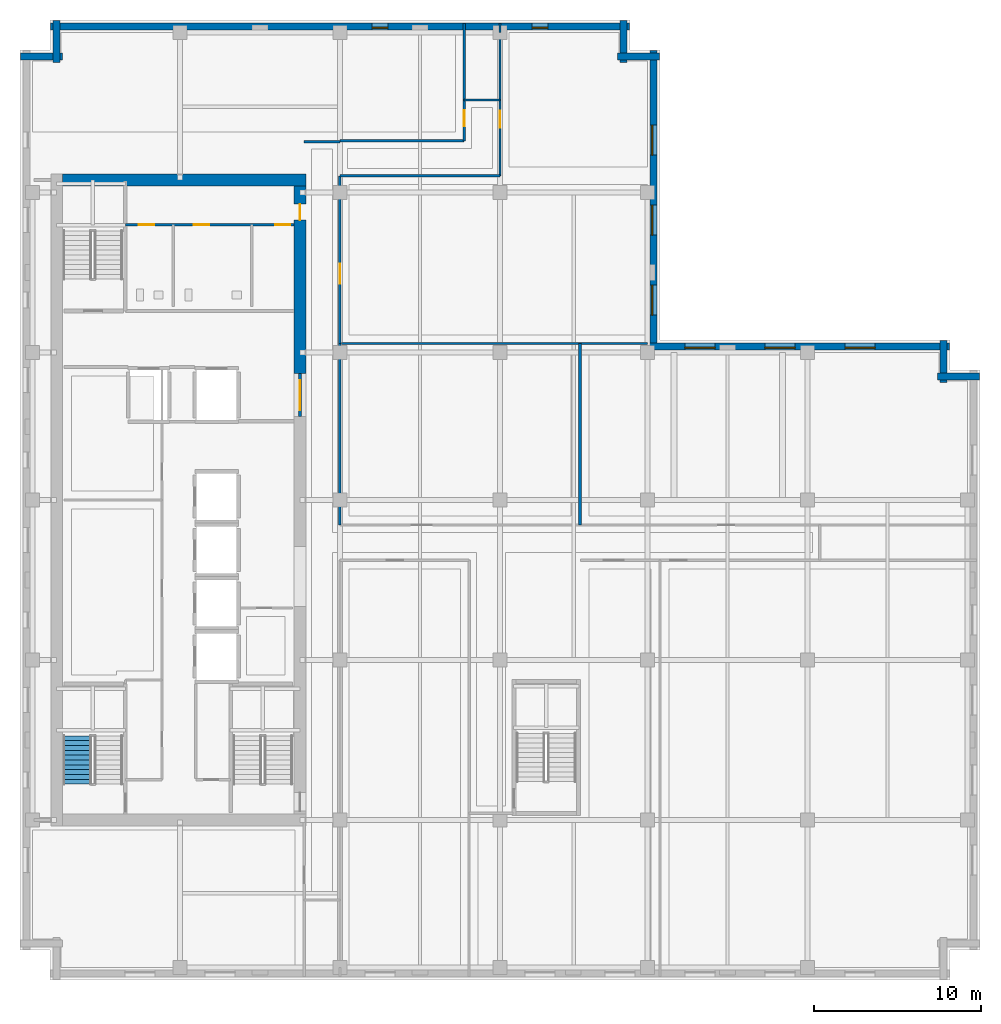
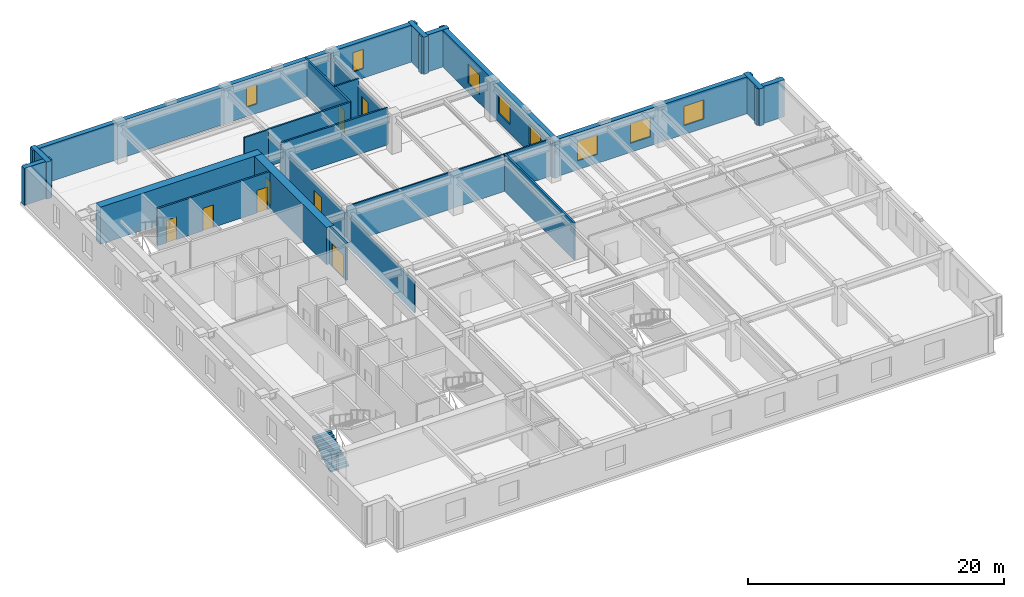
# One storey, part 6 of 14: 24 walls, 8 doors, 8 windows, 1 stair flight, 16 openings, 1 element without a shape of its own.
"""IFC4 building model written with IfcOpenShell, lengths in metres."""

from ifc_helpers import new_model, si_unit, direction, frame, frame_2d, origin, place, context, subcontext, project, spatial, polyline, rectangle, outline, extrude, material, layer, layer_set, type_object, element, fill, aggregate, save


model = new_model("IFC4")

# Units and contexts
model_context = context("Model", 3, precision=1e-05, world=origin(), true_north=direction((0.0, 1.0)))
body_context = subcontext(model_context, "Body", "Model", "MODEL_VIEW")
ifc_project = project(units=[si_unit("LENGTHUNIT", "METRE"), si_unit("AREAUNIT", "SQUARE_METRE"), si_unit("VOLUMEUNIT", "CUBIC_METRE"), si_unit("PLANEANGLEUNIT", "RADIAN"), si_unit("MASSUNIT", "GRAM", prefix="KILO")], contexts=[model_context])

# Site, building, storey
site_placement = place(None, origin())
site = spatial("IfcSite", under=ifc_project, at=site_placement, CompositionType="ELEMENT")
building_placement = place(site_placement, origin())
building = spatial("IfcBuilding", under=site, at=building_placement, Name="Norrvale University Quadrangle", CompositionType="ELEMENT")
storey_placement = place(building_placement, frame((0.0, 0.0, 218.0)))
storey = spatial("IfcBuildingStorey", under=building, at=storey_placement, Name="L55", CompositionType="ELEMENT", Elevation=218.0)

# Walls
ifc_material_1 = material(Name="Buff Norman Clay Brick Masonry", Category="masonry")
ifc_layer_1 = layer(ifc_material_1, 0.419921875, Name="Buff Norman Clay Brick Masonry")
ifc_layer_set_1 = layer_set([ifc_layer_1], Name="Buff Norman Clay Brick Masonry")
wall_type_1 = type_object("IfcWallType", Name="Wall Buff Brick 420", PredefinedType="SOLIDWALL", material=ifc_layer_set_1)
for number, where, z_axis, x_axis, name in (
    (1, (57.56005859375, 36.2099609375, 0.0), (0.0, 0.0, 1.0), (-1.0, 0.0, 0.0), "Exterior Brick Facade Wall L55-05.1"),
    (2, (55.409912109375, 35.860107421875, 0.0), (0.0, 0.0, 1.0), (0.0, 1.0, 0.0), "Exterior Brick Facade Wall L55-06.1"),
):
    element("IfcWall", number, at=place(storey_placement, frame(where, z_axis=z_axis, x_axis=x_axis)), inside=storey, type_object=wall_type_1, Name=name, PredefinedType="SOLIDWALL", context=body_context, shape_type="SweptSolid", body=[
        extrude(rectangle(XDim=2.5, YDim=0.419921875, at=frame_2d((1.25, 0.0))), origin(), (0.0, 0.0, 1.0), 3.5400390625),
    ])

# Wall, openings, windows
wall_1_placement = place(storey_placement, frame((55.760009765625, 38.010009765625, 0.0), z_axis=(0.0, 0.0, 1.0), x_axis=(-1.0, 0.0, 0.0)))
wall_1 = element("IfcWall", 3, at=wall_1_placement, inside=storey, type_object=wall_type_1, Name="Exterior Brick Facade Wall L55-07.1", PredefinedType="SOLIDWALL", context=body_context, shape_type="SweptSolid", body=[
    extrude(rectangle(XDim=18.10009765625, YDim=0.419921875, at=frame_2d((9.050048828125, 0.0))), origin(), (0.0, 0.0, 1.0), 3.5400390625),
])
opening_1_placement = place(wall_1_placement, frame((4.4599609375, 0.0, 0.85009765625)))
opening_1 = element("IfcOpeningElement", 4, at=opening_1_placement, cuts=wall_1, Name="Opening W01", PredefinedType="OPENING", context=body_context, shape_type="SweptSolid", body=[
    extrude(rectangle(XDim=1.800048828125, YDim=1.85009765625, at=frame_2d((0.89990234375, 0.925048828125))), frame((0.0, 0.221923828125, 0.0), z_axis=(0.0, -1.0, 0.0), x_axis=(1.0, 0.0, 0.0)), (0.0, 0.0, 1.0), 0.44384765625),
])
opening_2_placement = place(wall_1_placement, frame((9.260009765625, 0.0, 0.85009765625)))
opening_2 = element("IfcOpeningElement", 5, at=opening_2_placement, cuts=wall_1, Name="Opening W01", PredefinedType="OPENING", context=body_context, shape_type="SweptSolid", body=[
    extrude(rectangle(XDim=1.800048828125, YDim=1.85009765625, at=frame_2d((0.89990234375, 0.925048828125))), frame((0.0, 0.221923828125, 0.0), z_axis=(0.0, -1.0, 0.0), x_axis=(1.0, 0.0, 0.0)), (0.0, 0.0, 1.0), 0.44384765625),
])
opening_3_placement = place(wall_1_placement, frame((14.06005859375, 0.0, 0.85009765625)))
opening_3 = element("IfcOpeningElement", 6, at=opening_3_placement, cuts=wall_1, Name="Opening W01", PredefinedType="OPENING", context=body_context, shape_type="SweptSolid", body=[
    extrude(rectangle(XDim=1.800048828125, YDim=1.85009765625, at=frame_2d((0.89990234375, 0.925048828125))), frame((0.0, 0.221923828125, 0.0), z_axis=(0.0, -1.0, 0.0), x_axis=(1.0, 0.0, 0.0)), (0.0, 0.0, 1.0), 0.44384765625),
])
ifc_material_2 = material(Name="Triple Low-E Argon Glazing", Category="glass")
window_type_1 = type_object("IfcWindowType", Name="Window Academic 1800x2300", PartitioningType="DOUBLE_PANEL_VERTICAL", PredefinedType="WINDOW", material=ifc_material_2)
window_1_placement = place(opening_1_placement, origin())
window_1 = element("IfcWindow", 7, at=window_1_placement, inside=storey, type_object=window_type_1, Name="Window Academic 1800x2300 WIN-L55-E07-1-01", OverallHeight=1.85009765625, OverallWidth=1.800048828125, PartitioningType="DOUBLE_PANEL_VERTICAL", PredefinedType="WINDOW", context=body_context, shape_type="SweptSolid", body=[
    extrude(rectangle(XDim=1.800048828125, YDim=1.85009765625, at=frame_2d((0.89990234375, 0.925048828125))), frame((0.0, 0.110107421875, 0.0), z_axis=(0.0, -1.0, 0.0), x_axis=(1.0, 0.0, 0.0)), (0.0, 0.0, 1.0), 0.06005859375),
])
fill(opening_1, window_1)
window_2_placement = place(opening_2_placement, origin())
window_2 = element("IfcWindow", 8, at=window_2_placement, inside=storey, type_object=window_type_1, Name="Window Academic 1800x2300 WIN-L55-E07-1-02", OverallHeight=1.85009765625, OverallWidth=1.800048828125, PartitioningType="DOUBLE_PANEL_VERTICAL", PredefinedType="WINDOW", context=body_context, shape_type="SweptSolid", body=[
    extrude(rectangle(XDim=1.800048828125, YDim=1.85009765625, at=frame_2d((0.89990234375, 0.925048828125))), frame((0.0, 0.110107421875, 0.0), z_axis=(0.0, -1.0, 0.0), x_axis=(1.0, 0.0, 0.0)), (0.0, 0.0, 1.0), 0.06005859375),
])
fill(opening_2, window_2)
window_3_placement = place(opening_3_placement, origin())
window_3 = element("IfcWindow", 9, at=window_3_placement, inside=storey, type_object=window_type_1, Name="Window Academic 1800x2300 WIN-L55-E07-1-03", OverallHeight=1.85009765625, OverallWidth=1.800048828125, PartitioningType="DOUBLE_PANEL_VERTICAL", PredefinedType="WINDOW", context=body_context, shape_type="SweptSolid", body=[
    extrude(rectangle(XDim=1.800048828125, YDim=1.85009765625, at=frame_2d((0.89990234375, 0.925048828125))), frame((0.0, 0.110107421875, 0.0), z_axis=(0.0, -1.0, 0.0), x_axis=(1.0, 0.0, 0.0)), (0.0, 0.0, 1.0), 0.06005859375),
])
fill(opening_3, window_3)

wall_2_placement = place(storey_placement, frame((38.010009765625, 37.659912109375, 0.0), z_axis=(0.0, 0.0, 1.0), x_axis=(0.0, 1.0, 0.0)))
wall_2 = element("IfcWall", 10, at=wall_2_placement, inside=storey, type_object=wall_type_1, Name="Exterior Brick Facade Wall L55-08.1", PredefinedType="SOLIDWALL", context=body_context, shape_type="SweptSolid", body=[
    extrude(rectangle(XDim=18.10009765625, YDim=0.419921875, at=frame_2d((9.050048828125, 0.0))), origin(), (0.0, 0.0, 1.0), 3.5400390625),
])
opening_4_placement = place(wall_2_placement, frame((2.239990234375, 0.0, 0.85009765625)))
opening_4 = element("IfcOpeningElement", 11, at=opening_4_placement, cuts=wall_2, Name="Opening W01", PredefinedType="OPENING", context=body_context, shape_type="SweptSolid", body=[
    extrude(rectangle(XDim=1.800048828125, YDim=1.85009765625, at=frame_2d((0.89990234375, 0.925048828125))), frame((0.0, 0.221923828125, 0.0), z_axis=(0.0, -1.0, 0.0), x_axis=(1.0, 0.0, 0.0)), (0.0, 0.0, 1.0), 0.44384765625),
])
opening_5_placement = place(wall_2_placement, frame((7.0400390625, 0.0, 0.85009765625)))
opening_5 = element("IfcOpeningElement", 12, at=opening_5_placement, cuts=wall_2, Name="Opening W01", PredefinedType="OPENING", context=body_context, shape_type="SweptSolid", body=[
    extrude(rectangle(XDim=1.800048828125, YDim=1.85009765625, at=frame_2d((0.89990234375, 0.925048828125))), frame((0.0, 0.221923828125, 0.0), z_axis=(0.0, -1.0, 0.0), x_axis=(1.0, 0.0, 0.0)), (0.0, 0.0, 1.0), 0.44384765625),
])
opening_6_placement = place(wall_2_placement, frame((11.840087890625, 0.0, 0.85009765625)))
opening_6 = element("IfcOpeningElement", 13, at=opening_6_placement, cuts=wall_2, Name="Opening W01", PredefinedType="OPENING", context=body_context, shape_type="SweptSolid", body=[
    extrude(rectangle(XDim=1.800048828125, YDim=1.85009765625, at=frame_2d((0.89990234375, 0.925048828125))), frame((0.0, 0.221923828125, 0.0), z_axis=(0.0, -1.0, 0.0), x_axis=(1.0, 0.0, 0.0)), (0.0, 0.0, 1.0), 0.44384765625),
])
window_4_placement = place(opening_4_placement, origin())
window_4 = element("IfcWindow", 14, at=window_4_placement, inside=storey, type_object=window_type_1, Name="Window Academic 1800x2300 WIN-L55-E08-1-01", OverallHeight=1.85009765625, OverallWidth=1.800048828125, PartitioningType="DOUBLE_PANEL_VERTICAL", PredefinedType="WINDOW", context=body_context, shape_type="SweptSolid", body=[
    extrude(rectangle(XDim=1.800048828125, YDim=1.85009765625, at=frame_2d((0.89990234375, 0.925048828125))), frame((0.0, 0.110107421875, 0.0), z_axis=(0.0, -1.0, 0.0), x_axis=(1.0, 0.0, 0.0)), (0.0, 0.0, 1.0), 0.06005859375),
])
fill(opening_4, window_4)
window_5_placement = place(opening_5_placement, origin())
window_5 = element("IfcWindow", 15, at=window_5_placement, inside=storey, type_object=window_type_1, Name="Window Academic 1800x2300 WIN-L55-E08-1-02", OverallHeight=1.85009765625, OverallWidth=1.800048828125, PartitioningType="DOUBLE_PANEL_VERTICAL", PredefinedType="WINDOW", context=body_context, shape_type="SweptSolid", body=[
    extrude(rectangle(XDim=1.800048828125, YDim=1.85009765625, at=frame_2d((0.89990234375, 0.925048828125))), frame((0.0, 0.110107421875, 0.0), z_axis=(0.0, -1.0, 0.0), x_axis=(1.0, 0.0, 0.0)), (0.0, 0.0, 1.0), 0.06005859375),
])
fill(opening_5, window_5)
window_6_placement = place(opening_6_placement, origin())
window_6 = element("IfcWindow", 16, at=window_6_placement, inside=storey, type_object=window_type_1, Name="Window Academic 1800x2300 WIN-L55-E08-1-03", OverallHeight=1.85009765625, OverallWidth=1.800048828125, PartitioningType="DOUBLE_PANEL_VERTICAL", PredefinedType="WINDOW", context=body_context, shape_type="SweptSolid", body=[
    extrude(rectangle(XDim=1.800048828125, YDim=1.85009765625, at=frame_2d((0.89990234375, 0.925048828125))), frame((0.0, 0.110107421875, 0.0), z_axis=(0.0, -1.0, 0.0), x_axis=(1.0, 0.0, 0.0)), (0.0, 0.0, 1.0), 0.06005859375),
])
fill(opening_6, window_6)

# Walls
for number, where, z_axis, x_axis, name in (
    (17, (38.360107421875, 55.409912109375, 0.0), (0.0, 0.0, 1.0), (-1.0, 0.0, 0.0), "Exterior Brick Facade Wall L55-09.1"),
    (18, (36.2099609375, 55.06005859375, 0.0), (0.0, 0.0, 1.0), (0.0, 1.0, 0.0), "Exterior Brick Facade Wall L55-10.1"),
):
    element("IfcWall", number, at=place(storey_placement, frame(where, z_axis=z_axis, x_axis=x_axis)), inside=storey, type_object=wall_type_1, Name=name, PredefinedType="SOLIDWALL", context=body_context, shape_type="SweptSolid", body=[
        extrude(rectangle(XDim=2.5, YDim=0.419921875, at=frame_2d((1.25, 0.0))), origin(), (0.0, 0.0, 1.0), 3.5400390625),
    ])

# Wall, openings, windows
wall_3_placement = place(storey_placement, frame((36.56005859375, 57.2099609375, 0.0), z_axis=(0.0, 0.0, 1.0), x_axis=(-1.0, 0.0, 0.0)))
wall_3 = element("IfcWall", 19, at=wall_3_placement, inside=storey, type_object=wall_type_1, Name="Exterior Brick Facade Wall L55-11.1", PredefinedType="SOLIDWALL", context=body_context, shape_type="SweptSolid", body=[
    extrude(rectangle(XDim=34.719970703125, YDim=0.419921875, at=frame_2d((17.35986328125, 0.0))), origin(), (0.0, 0.0, 1.0), 3.5400390625),
])
opening_7_placement = place(wall_3_placement, frame((4.885009765625, 0.0, 0.89990234375)))
opening_7 = element("IfcOpeningElement", 20, at=opening_7_placement, cuts=wall_3, Name="Opening W04", PredefinedType="OPENING", context=body_context, shape_type="SweptSolid", body=[
    extrude(rectangle(XDim=0.949951171875, YDim=1.85009765625, at=frame_2d((0.47509765625, 0.925048828125))), frame((0.0, 0.221923828125, 0.0), z_axis=(0.0, -1.0, 0.0), x_axis=(1.0, 0.0, 0.0)), (0.0, 0.0, 1.0), 0.44384765625),
])
opening_8_placement = place(wall_3_placement, frame((14.485107421875, 0.0, 0.89990234375)))
opening_8 = element("IfcOpeningElement", 21, at=opening_8_placement, cuts=wall_3, Name="Opening W04", PredefinedType="OPENING", context=body_context, shape_type="SweptSolid", body=[
    extrude(rectangle(XDim=0.949951171875, YDim=1.85009765625, at=frame_2d((0.47509765625, 0.925048828125))), frame((0.0, 0.221923828125, 0.0), z_axis=(0.0, -1.0, 0.0), x_axis=(1.0, 0.0, 0.0)), (0.0, 0.0, 1.0), 0.44384765625),
])
window_type_2 = type_object("IfcWindowType", Name="Window Narrow Pier 950x2300", PartitioningType="SINGLE_PANEL", PredefinedType="WINDOW", material=ifc_material_2)
window_7_placement = place(opening_7_placement, origin())
window_7 = element("IfcWindow", 22, at=window_7_placement, inside=storey, type_object=window_type_2, Name="Window Narrow Pier 950x2300 WIN-L55-E11-1-01", OverallHeight=1.85009765625, OverallWidth=0.949951171875, PartitioningType="SINGLE_PANEL", PredefinedType="WINDOW", context=body_context, shape_type="SweptSolid", body=[
    extrude(rectangle(XDim=0.949951171875, YDim=1.85009765625, at=frame_2d((0.47509765625, 0.925048828125))), frame((0.0, 0.110107421875, 0.0), z_axis=(0.0, -1.0, 0.0), x_axis=(1.0, 0.0, 0.0)), (0.0, 0.0, 1.0), 0.06005859375),
])
fill(opening_7, window_7)
window_8_placement = place(opening_8_placement, origin())
window_8 = element("IfcWindow", 23, at=window_8_placement, inside=storey, type_object=window_type_2, Name="Window Narrow Pier 950x2300 WIN-L55-E11-1-02", OverallHeight=1.85009765625, OverallWidth=0.949951171875, PartitioningType="SINGLE_PANEL", PredefinedType="WINDOW", context=body_context, shape_type="SweptSolid", body=[
    extrude(rectangle(XDim=0.949951171875, YDim=1.85009765625, at=frame_2d((0.47509765625, 0.925048828125))), frame((0.0, 0.110107421875, 0.0), z_axis=(0.0, -1.0, 0.0), x_axis=(1.0, 0.0, 0.0)), (0.0, 0.0, 1.0), 0.06005859375),
])
fill(opening_8, window_8)

# Walls
for number, where, z_axis, x_axis, name in (
    (24, (2.18994140625, 57.56005859375, 0.0), (0.0, 0.0, 1.0), (0.0, -1.0, 0.0), "Exterior Brick Facade Wall L55-12.1"),
    (25, (2.5400390625, 55.409912109375, 0.0), (0.0, 0.0, 1.0), (-1.0, 0.0, 0.0), "Exterior Brick Facade Wall L55-13.1"),
):
    element("IfcWall", number, at=place(storey_placement, frame(where, z_axis=z_axis, x_axis=x_axis)), inside=storey, type_object=wall_type_1, Name=name, PredefinedType="SOLIDWALL", context=body_context, shape_type="SweptSolid", body=[
        extrude(rectangle(XDim=2.5, YDim=0.419921875, at=frame_2d((1.25, 0.0))), origin(), (0.0, 0.0, 1.0), 3.5400390625),
    ])
ifc_material_3 = material(Name="Concrete C60/75", Category="concrete")
ifc_layer_2 = layer(ifc_material_3, 0.699951171875, Name="Concrete C60/75")
ifc_layer_set_2 = layer_set([ifc_layer_2], Name="Concrete C60/75")
wall_type_2 = type_object("IfcWallType", Name="Wall Core 700", PredefinedType="SHEAR", material=ifc_layer_set_2)
wall_4_placement = place(storey_placement, frame((2.550048828125, 48.0, 0.0), z_axis=(0.0, 0.0, 1.0), x_axis=(1.0, 0.0, 0.0)))
element("IfcWall", 26, at=wall_4_placement, inside=storey, type_object=wall_type_2, Name="Tower Core Shear Wall L55-N", PredefinedType="SHEAR", context=body_context, shape_type="SweptSolid", body=[
    extrude(rectangle(XDim=14.599853515625, YDim=0.699951171875, at=frame_2d((7.2998046875, 0.0))), origin(), (0.0, 0.0, 1.0), 3.5400390625),
])

# Wall, opening, door
wall_5_placement = place(storey_placement, frame((16.800048828125, 36.39990234375, 0.0), z_axis=(0.0, 0.0, 1.0), x_axis=(0.0, 1.0, 0.0)))
wall_5 = element("IfcWall", 27, at=wall_5_placement, inside=storey, type_object=wall_type_2, Name="Tower Core Shear Wall L55-E3", PredefinedType="SHEAR", context=body_context, shape_type="SweptSolid", body=[
    extrude(rectangle(XDim=11.25, YDim=0.699951171875, at=frame_2d((5.625, 0.0))), origin(), (0.0, 0.0, 1.0), 3.5400390625),
])
opening_9_placement = place(wall_5_placement, frame((9.199951171875, 0.0, 0.0)))
opening_9 = element("IfcOpeningElement", 28, at=opening_9_placement, cuts=wall_5, Name="Opening D07", PredefinedType="OPENING", context=body_context, shape_type="SweptSolid", body=[
    extrude(rectangle(XDim=0.949951171875, YDim=2.14990234375, at=frame_2d((0.47509765625, 1.074951171875))), frame((0.0, 0.362060546875, 0.0), z_axis=(0.0, -1.0, 0.0), x_axis=(1.0, 0.0, 0.0)), (0.0, 0.0, 1.0), 0.723876953125),
])
ifc_material_4 = material(Name="Solid-Core Maple Door", Category="wood")
door_type_1 = type_object("IfcDoorType", Name="Door Office 950x2150", OperationType="NOTDEFINED", PredefinedType="DOOR", material=ifc_material_4)
door_1_placement = place(opening_9_placement, origin())
door_1 = element("IfcDoor", 29, at=door_1_placement, inside=storey, type_object=door_type_1, Name="Door Office 950x2150 DR-L55-NECORR", OperationType="SINGLE_SWING_RIGHT", OverallHeight=2.14990234375, OverallWidth=0.949951171875, PredefinedType="DOOR", context=body_context, shape_type="SweptSolid", body=[
    extrude(rectangle(XDim=0.949951171875, YDim=2.14990234375, at=frame_2d((0.47509765625, 1.074951171875))), frame((0.0, 0.02490234375, 0.0), z_axis=(0.0, -1.0, 0.0), x_axis=(1.0, 0.0, 0.0)), (0.0, 0.0, 1.0), 0.050048828125),
])
fill(opening_9, door_1)

# Walls
ifc_material_5 = material(Name="Standard Academic Gypsum Partition")
ifc_layer_3 = layer(ifc_material_5, 0.125, Name="Standard Academic Gypsum Partition")
ifc_layer_set_3 = layer_set([ifc_layer_3], Name="Standard Academic Gypsum Partition")
wall_type_3 = type_object("IfcWallType", Name="Wall Gypsum Academic 125", PredefinedType="PARTITIONING", material=ifc_layer_set_3)
wall_6_placement = place(storey_placement, frame((19.280029296875, 38.179931640625, 0.0), z_axis=(0.0, 0.0, 1.0), x_axis=(1.0, 0.0, 0.0)))
element("IfcWall", 30, at=wall_6_placement, inside=storey, type_object=wall_type_3, Name="Interior Partition WL-L55-ME-N", PredefinedType="PARTITIONING", context=body_context, shape_type="SweptSolid", body=[
    extrude(rectangle(XDim=18.369873046875, YDim=0.125, at=frame_2d((9.18505859375, 0.0))), origin(), (0.0, 0.0, 1.0), 3.5400390625),
])
ifc_material_6 = material(Name="Fire-Rated Gypsum Stud Partition")
ifc_layer_4 = layer(ifc_material_6, 0.14990234375, Name="Fire-Rated Gypsum Stud Partition")
ifc_layer_set_4 = layer_set([ifc_layer_4], Name="Fire-Rated Gypsum Stud Partition")
wall_type_4 = type_object("IfcWallType", Name="Wall Gypsum Corridor 150", PredefinedType="PARTITIONING", material=ifc_layer_set_4)
wall_7_placement = place(storey_placement, frame((17.050048828125, 50.300048828125, 0.0), z_axis=(0.0, 0.0, 1.0), x_axis=(1.0, 0.0, 0.0)))
element("IfcWall", 31, at=wall_7_placement, inside=storey, type_object=wall_type_4, Name="Interior Partition WL-L55-CSP-N", PredefinedType="PARTITIONING", context=body_context, shape_type="SweptSolid", body=[
    extrude(rectangle(XDim=2.14990234375, YDim=0.14990234375, at=frame_2d((1.074951171875, 0.0))), origin(), (0.0, 0.0, 1.0), 3.5400390625),
])
wall_8_placement = place(storey_placement, frame((19.199951171875, 27.300048828125, 0.0), z_axis=(0.0, 0.0, 1.0), x_axis=(0.0, 1.0, 0.0)))
element("IfcWall", 32, at=wall_8_placement, inside=storey, type_object=wall_type_4, Name="Interior Partition WL-L55-ME-W", PredefinedType="PARTITIONING", context=body_context, shape_type="SweptSolid", body=[
    extrude(rectangle(XDim=10.8798828125, YDim=0.14990234375, at=frame_2d((5.43994140625, 0.0))), origin(), (0.0, 0.0, 1.0), 2.924072265625),
])

# Wall, opening, door
wall_9_placement = place(storey_placement, frame((19.199951171875, 38.179931640625, 0.0), z_axis=(0.0, 0.0, 1.0), x_axis=(0.0, 1.0, 0.0)))
wall_9 = element("IfcWall", 33, at=wall_9_placement, inside=storey, type_object=wall_type_4, Name="Interior Partition WL-L55-MNECW", PredefinedType="PARTITIONING", context=body_context, shape_type="SweptSolid", body=[
    extrude(rectangle(XDim=10.070068359375, YDim=0.14990234375, at=frame_2d((5.03515625, 0.0))), origin(), (0.0, 0.0, 1.0), 2.924072265625),
])
opening_10_placement = place(wall_9_placement, frame((3.60009765625, 0.0, 0.0)))
opening_10 = element("IfcOpeningElement", 34, at=opening_10_placement, cuts=wall_9, Name="Opening D05", PredefinedType="OPENING", context=body_context, shape_type="SweptSolid", body=[
    extrude(rectangle(XDim=1.199951171875, YDim=2.199951171875, at=frame_2d((0.60009765625, 1.10009765625))), frame((0.0, 0.0869140625, 0.0), z_axis=(0.0, -1.0, 0.0), x_axis=(1.0, 0.0, 0.0)), (0.0, 0.0, 1.0), 0.173828125),
])
ifc_material_7 = material(Name="Acoustic Oak Classroom Door", Category="wood")
door_type_2 = type_object("IfcDoorType", Name="Door Classroom 1200x2200", OperationType="NOTDEFINED", PredefinedType="DOOR", material=ifc_material_7)
door_2_placement = place(opening_10_placement, origin())
door_2 = element("IfcDoor", 35, at=door_2_placement, inside=storey, type_object=door_type_2, Name="Door Classroom 1200x2200 DR-L55-MNE01", OperationType="SINGLE_SWING_RIGHT", OverallHeight=2.199951171875, OverallWidth=1.199951171875, PredefinedType="DOOR", context=body_context, shape_type="SweptSolid", body=[
    extrude(rectangle(XDim=1.199951171875, YDim=2.199951171875, at=frame_2d((0.60009765625, 1.10009765625))), frame((0.0, 0.02490234375, 0.0), z_axis=(0.0, -1.0, 0.0), x_axis=(1.0, 0.0, 0.0)), (0.0, 0.0, 1.0), 0.050048828125),
])
fill(opening_10, door_2)

# Walls
wall_10_placement = place(storey_placement, frame((19.199951171875, 48.25, 0.0), z_axis=(0.0, 0.0, 1.0), x_axis=(1.0, 0.0, 0.0)))
element("IfcWall", 36, at=wall_10_placement, inside=storey, type_object=wall_type_4, Name="Interior Partition WL-L55-JOGS", PredefinedType="PARTITIONING", context=body_context, shape_type="SweptSolid", body=[
    extrude(rectangle(XDim=9.60009765625, YDim=0.14990234375, at=frame_2d((4.800048828125, 0.0))), origin(), (0.0, 0.0, 1.0), 3.5400390625),
])
wall_11_placement = place(storey_placement, frame((19.199951171875, 50.35009765625, 0.0), z_axis=(0.0, 0.0, 1.0), x_axis=(1.0, 0.0, 0.0)))
element("IfcWall", 37, at=wall_11_placement, inside=storey, type_object=wall_type_4, Name="Interior Partition WL-L55-JOGN", PredefinedType="PARTITIONING", context=body_context, shape_type="SweptSolid", body=[
    extrude(rectangle(XDim=7.449951171875, YDim=0.14990234375, at=frame_2d((3.72509765625, 0.0))), origin(), (0.0, 0.0, 1.0), 3.5400390625),
])
wall_12_placement = place(storey_placement, frame((26.64990234375, 52.800048828125, 0.0), z_axis=(0.0, 0.0, 1.0), x_axis=(1.0, 0.0, 0.0)))
element("IfcWall", 38, at=wall_12_placement, inside=storey, type_object=wall_type_4, Name="Interior Partition WL-L55-JOGEND", PredefinedType="PARTITIONING", context=body_context, shape_type="SweptSolid", body=[
    extrude(rectangle(XDim=2.150146484375, YDim=0.14990234375, at=frame_2d((1.0751953125, 0.0))), origin(), (0.0, 0.0, 1.0), 3.5400390625),
])

# Wall, opening, door
wall_13_placement = place(storey_placement, frame((28.800048828125, 48.25, 0.0), z_axis=(0.0, 0.0, 1.0), x_axis=(0.0, 1.0, 0.0)))
wall_13 = element("IfcWall", 39, at=wall_13_placement, inside=storey, type_object=wall_type_4, Name="Interior Partition WL-L55-NECW", PredefinedType="PARTITIONING", context=body_context, shape_type="SweptSolid", body=[
    extrude(rectangle(XDim=8.60009765625, YDim=0.14990234375, at=frame_2d((4.300048828125, 0.0))), origin(), (0.0, 0.0, 1.0), 2.924072265625),
])
opening_11_placement = place(wall_13_placement, frame((2.89990234375, 0.0, 0.0)))
opening_11 = element("IfcOpeningElement", 40, at=opening_11_placement, cuts=wall_13, Name="Opening D04", PredefinedType="OPENING", context=body_context, shape_type="SweptSolid", body=[
    extrude(rectangle(XDim=1.0, YDim=2.199951171875, at=frame_2d((0.5, 1.10009765625))), frame((0.0, 0.0869140625, 0.0), z_axis=(0.0, -1.0, 0.0), x_axis=(1.0, 0.0, 0.0)), (0.0, 0.0, 1.0), 0.173828125),
])
ifc_material_8 = material(Name="Solid-Core Oak Fire Door", Category="wood")
door_type_3 = type_object("IfcDoorType", Name="Door Corridor 1000x2200", OperationType="NOTDEFINED", PredefinedType="DOOR", material=ifc_material_8)
door_3_placement = place(opening_11_placement, origin())
door_3 = element("IfcDoor", 41, at=door_3_placement, inside=storey, type_object=door_type_3, Name="Door Corridor 1000x2200 DR-L55-NE01", OperationType="SINGLE_SWING_RIGHT", OverallHeight=2.199951171875, OverallWidth=1.0, PredefinedType="DOOR", context=body_context, shape_type="SweptSolid", body=[
    extrude(rectangle(XDim=1.0, YDim=2.199951171875, at=frame_2d((0.5, 1.10009765625))), frame((0.0, 0.02490234375, 0.0), z_axis=(0.0, -1.0, 0.0), x_axis=(1.0, 0.0, 0.0)), (0.0, 0.0, 1.0), 0.050048828125),
])
fill(opening_11, door_3)

# Wall
wall_14_placement = place(storey_placement, frame((28.800048828125, 56.85009765625, 0.0), z_axis=(0.0, 0.0, 1.0), x_axis=(0.0, 1.0, 0.0)))
element("IfcWall", 42, at=wall_14_placement, inside=storey, type_object=wall_type_4, Name="Interior Partition WL-L55-NECW-B2", PredefinedType="PARTITIONING", context=body_context, shape_type="SweptSolid", body=[
    extrude(rectangle(XDim=0.52978515625, YDim=0.14990234375, at=frame_2d((0.264892578125, 0.0))), origin(), (0.0, 0.0, 1.0), 3.5400390625),
])

# Wall, opening, door
wall_15_placement = place(storey_placement, frame((26.64990234375, 50.35009765625, 0.0), z_axis=(0.0, 0.0, 1.0), x_axis=(0.0, 1.0, 0.0)))
wall_15 = element("IfcWall", 43, at=wall_15_placement, inside=storey, type_object=wall_type_4, Name="Interior Partition WL-L55-NWCW", PredefinedType="PARTITIONING", context=body_context, shape_type="SweptSolid", body=[
    extrude(rectangle(XDim=7.02978515625, YDim=0.14990234375, at=frame_2d((3.514892578125, 0.0))), origin(), (0.0, 0.0, 1.0), 3.5400390625),
])
opening_12_placement = place(wall_15_placement, frame((0.875, 0.0, 0.0)))
opening_12 = element("IfcOpeningElement", 44, at=opening_12_placement, cuts=wall_15, Name="Opening D07", PredefinedType="OPENING", context=body_context, shape_type="SweptSolid", body=[
    extrude(rectangle(XDim=0.949951171875, YDim=2.14990234375, at=frame_2d((0.47509765625, 1.074951171875))), frame((0.0, 0.0869140625, 0.0), z_axis=(0.0, -1.0, 0.0), x_axis=(1.0, 0.0, 0.0)), (0.0, 0.0, 1.0), 0.173828125),
])
door_4_placement = place(opening_12_placement, origin())
door_4 = element("IfcDoor", 45, at=door_4_placement, inside=storey, type_object=door_type_1, Name="Door Office 950x2150 DR-L55-NW01", OperationType="SINGLE_SWING_RIGHT", OverallHeight=2.14990234375, OverallWidth=0.949951171875, PredefinedType="DOOR", context=body_context, shape_type="SweptSolid", body=[
    extrude(rectangle(XDim=0.949951171875, YDim=2.14990234375, at=frame_2d((0.47509765625, 1.074951171875))), frame((0.0, 0.02490234375, 0.0), z_axis=(0.0, -1.0, 0.0), x_axis=(1.0, 0.0, 0.0)), (0.0, 0.0, 1.0), 0.050048828125),
])
fill(opening_12, door_4)

# Wall, openings, doors
ifc_material_9 = material(Name="Sanitary Chase Gypsum Partition")
ifc_layer_5 = layer(ifc_material_9, 0.1650390625, Name="Sanitary Chase Gypsum Partition")
ifc_layer_set_5 = layer_set([ifc_layer_5], Name="Sanitary Chase Gypsum Partition")
wall_type_5 = type_object("IfcWallType", Name="Wall Gypsum Sanitary 165", PredefinedType="PLUMBINGWALL", material=ifc_layer_set_5)
wall_16_placement = place(storey_placement, frame((6.320068359375, 45.320068359375, 0.0), z_axis=(0.0, 0.0, 1.0), x_axis=(1.0, 0.0, 0.0)))
wall_16 = element("IfcWall", 46, at=wall_16_placement, inside=storey, type_object=wall_type_5, Name="Interior Partition WL-L55-WCN", PredefinedType="PLUMBINGWALL", context=body_context, shape_type="SweptSolid", body=[
    extrude(rectangle(XDim=10.1298828125, YDim=0.1650390625, at=frame_2d((5.06494140625, 0.0))), origin(), (0.0, 0.0, 1.0), 3.5400390625),
])
opening_13_placement = place(wall_16_placement, frame((0.800048828125, 0.0, 0.0)))
opening_13 = element("IfcOpeningElement", 47, at=opening_13_placement, cuts=wall_16, Name="Opening D08", PredefinedType="OPENING", context=body_context, shape_type="SweptSolid", body=[
    extrude(rectangle(XDim=0.919921875, YDim=2.14990234375, at=frame_2d((0.4599609375, 1.074951171875))), frame((0.0, 0.094482421875, 0.0), z_axis=(0.0, -1.0, 0.0), x_axis=(1.0, 0.0, 0.0)), (0.0, 0.0, 1.0), 0.18896484375),
])
opening_14_placement = place(wall_16_placement, frame((4.10009765625, 0.0, 0.0)))
opening_14 = element("IfcOpeningElement", 48, at=opening_14_placement, cuts=wall_16, Name="Opening D08", PredefinedType="OPENING", context=body_context, shape_type="SweptSolid", body=[
    extrude(rectangle(XDim=0.919921875, YDim=2.14990234375, at=frame_2d((0.4599609375, 1.074951171875))), frame((0.0, 0.094482421875, 0.0), z_axis=(0.0, -1.0, 0.0), x_axis=(1.0, 0.0, 0.0)), (0.0, 0.0, 1.0), 0.18896484375),
])
opening_15_placement = place(wall_16_placement, frame((8.97998046875, 0.0, 0.0)))
opening_15 = element("IfcOpeningElement", 49, at=opening_15_placement, cuts=wall_16, Name="Opening D08", PredefinedType="OPENING", context=body_context, shape_type="SweptSolid", body=[
    extrude(rectangle(XDim=0.919921875, YDim=2.14990234375, at=frame_2d((0.4599609375, 1.074951171875))), frame((0.0, 0.094482421875, 0.0), z_axis=(0.0, -1.0, 0.0), x_axis=(1.0, 0.0, 0.0)), (0.0, 0.0, 1.0), 0.18896484375),
])
ifc_material_10 = material(Name="Laminate Washroom Door", Category="wood")
door_type_4 = type_object("IfcDoorType", Name="Door Washroom 920x2150", OperationType="NOTDEFINED", PredefinedType="DOOR", material=ifc_material_10)
door_5_placement = place(opening_13_placement, origin())
door_5 = element("IfcDoor", 50, at=door_5_placement, inside=storey, type_object=door_type_4, Name="Door Washroom 920x2150 DR-L55-WC1", OperationType="SINGLE_SWING_LEFT", OverallHeight=2.14990234375, OverallWidth=0.919921875, PredefinedType="DOOR", context=body_context, shape_type="SweptSolid", body=[
    extrude(rectangle(XDim=0.919921875, YDim=2.14990234375, at=frame_2d((0.4599609375, 1.074951171875))), frame((0.0, 0.02490234375, 0.0), z_axis=(0.0, -1.0, 0.0), x_axis=(1.0, 0.0, 0.0)), (0.0, 0.0, 1.0), 0.050048828125),
])
fill(opening_13, door_5)
door_6_placement = place(opening_14_placement, origin())
door_6 = element("IfcDoor", 51, at=door_6_placement, inside=storey, type_object=door_type_4, Name="Door Washroom 920x2150 DR-L55-WC2", OperationType="SINGLE_SWING_RIGHT", OverallHeight=2.14990234375, OverallWidth=0.919921875, PredefinedType="DOOR", context=body_context, shape_type="SweptSolid", body=[
    extrude(rectangle(XDim=0.919921875, YDim=2.14990234375, at=frame_2d((0.4599609375, 1.074951171875))), frame((0.0, 0.02490234375, 0.0), z_axis=(0.0, -1.0, 0.0), x_axis=(1.0, 0.0, 0.0)), (0.0, 0.0, 1.0), 0.050048828125),
])
fill(opening_14, door_6)
door_7_placement = place(opening_15_placement, origin())
door_7 = element("IfcDoor", 52, at=door_7_placement, inside=storey, type_object=door_type_4, Name="Door Washroom 920x2150 DR-L55-WC3", OperationType="SINGLE_SWING_LEFT", OverallHeight=2.14990234375, OverallWidth=0.919921875, PredefinedType="DOOR", context=body_context, shape_type="SweptSolid", body=[
    extrude(rectangle(XDim=0.919921875, YDim=2.14990234375, at=frame_2d((0.4599609375, 1.074951171875))), frame((0.0, 0.02490234375, 0.0), z_axis=(0.0, -1.0, 0.0), x_axis=(1.0, 0.0, 0.0)), (0.0, 0.0, 1.0), 0.050048828125),
])
fill(opening_15, door_7)

# Wall
wall_17_placement = place(storey_placement, frame((33.60009765625, 27.300048828125, 0.0), z_axis=(0.0, 0.0, 1.0), x_axis=(0.0, 1.0, 0.0)))
element("IfcWall", 53, at=wall_17_placement, inside=storey, type_object=wall_type_5, Name="Interior Partition WL-L55-MEP01", PredefinedType="PLUMBINGWALL", context=body_context, shape_type="SweptSolid", body=[
    extrude(rectangle(XDim=10.8798828125, YDim=0.1650390625, at=frame_2d((5.43994140625, 0.0))), origin(), (0.0, 0.0, 1.0), 3.5400390625),
])

# Wall, opening, door
ifc_material_11 = material(Name="Concrete Blockwork 20 MPa Rated Wall", Category="masonry")
ifc_layer_6 = layer(ifc_material_11, 0.199951171875, Name="Concrete Blockwork 20 MPa Rated Wall")
ifc_layer_set_6 = layer_set([ifc_layer_6], Name="Concrete Blockwork 20 MPa Rated Wall")
wall_type_6 = type_object("IfcWallType", Name="Wall Lobby 200", PredefinedType="SOLIDWALL", material=ifc_layer_set_6)
wall_18_placement = place(storey_placement, frame((16.800048828125, 33.800048828125, 0.0), z_axis=(0.0, 0.0, 1.0), x_axis=(0.0, 1.0, 0.0)))
wall_18 = element("IfcWall", 54, at=wall_18_placement, inside=storey, type_object=wall_type_6, Name="Interior Partition WL-L55-FFP", PredefinedType="SOLIDWALL", context=body_context, shape_type="SweptSolid", body=[
    extrude(rectangle(XDim=2.599853515625, YDim=0.199951171875, at=frame_2d((1.2998046875, 0.0))), origin(), (0.0, 0.0, 1.0), 3.5400390625),
])
opening_16_placement = place(wall_18_placement, frame((0.39990234375, 0.0, 0.0)))
opening_16 = element("IfcOpeningElement", 55, at=opening_16_placement, cuts=wall_18, Name="Opening D03", PredefinedType="OPENING", context=body_context, shape_type="SweptSolid", body=[
    extrude(rectangle(XDim=1.800048828125, YDim=2.199951171875, at=frame_2d((0.89990234375, 1.10009765625))), frame((0.0, 0.112060546875, 0.0), z_axis=(0.0, -1.0, 0.0), x_axis=(1.0, 0.0, 0.0)), (0.0, 0.0, 1.0), 0.223876953125),
])
ifc_material_12 = material(Name="Hollow Steel 350W Fire Door", Category="steel")
door_type_5 = type_object("IfcDoorType", Name="Door Fire Lobby 1800x2200", OperationType="DOUBLE_DOOR_SINGLE_SWING", PredefinedType="DOOR", material=ifc_material_12)
door_8_placement = place(opening_16_placement, origin())
door_8 = element("IfcDoor", 56, at=door_8_placement, inside=storey, type_object=door_type_5, Name="Door Fire Lobby 1800x2200 DR-L55-FFP", OperationType="DOUBLE_DOOR_SINGLE_SWING", OverallHeight=2.199951171875, OverallWidth=1.800048828125, PredefinedType="DOOR", context=body_context, shape_type="SweptSolid", body=[
    extrude(rectangle(XDim=1.800048828125, YDim=2.199951171875, at=frame_2d((0.89990234375, 1.10009765625))), frame((0.0, 0.02490234375, 0.0), z_axis=(0.0, -1.0, 0.0), x_axis=(1.0, 0.0, 0.0)), (0.0, 0.0, 1.0), 0.050048828125),
])
fill(opening_16, door_8)

# Stair, stair flight
ifc_material_13 = material(Name="Concrete C40/50", Category="concrete")
stair_type = type_object("IfcStairType", Name="Stair Tower Typ 3800", PredefinedType="TWO_STRAIGHT_RUN_STAIR", material=ifc_material_13)
stair_placement = place(storey_placement, origin())
stair = element("IfcStair", 57, at=stair_placement, inside=storey, type_object=stair_type, Name="Exit Stair ST-01 L55", PredefinedType="TWO_STRAIGHT_RUN_STAIR")
stair_flight_type = type_object("IfcStairFlightType", Name="Flight Typ 1500", PredefinedType="STRAIGHT", material=ifc_material_13)
stair_flight_placement = place(storey_placement, frame((3.429931640625, 11.75, 0.0), z_axis=(0.0, 0.0, 1.0), x_axis=(0.0, 1.0, 0.0)))
stair_flight = element("IfcStairFlight", 58, at=stair_flight_placement, type_object=stair_flight_type, Name="Exit Stair ST-01 L55 Lower Flight", NumberOfRisers=11, NumberOfTreads=10, PredefinedType="STRAIGHT", RiserHeight=0.172727, TreadLength=0.29, context=body_context, shape_type="SweptSolid", body=[
    extrude(outline(polyline([(0.0, 0.0), (0.0, 0.172607421875), (0.2900390625, 0.172607421875), (0.2900390625, 0.345458984375), (0.580078125, 0.345458984375), (0.580078125, 0.51806640625), (0.8701171875, 0.51806640625), (0.8701171875, 0.69091796875), (1.159912109375, 0.69091796875), (1.159912109375, 0.863525390625), (1.449951171875, 0.863525390625), (1.449951171875, 1.036376953125), (1.739990234375, 1.036376953125), (1.739990234375, 1.208984375), (2.030029296875, 1.208984375), (2.030029296875, 1.3818359375), (2.320068359375, 1.3818359375), (2.320068359375, 1.554443359375), (2.610107421875, 1.554443359375), (2.610107421875, 1.727294921875), (2.89990234375, 1.727294921875), (2.89990234375, 1.89990234375), (2.89990234375, 1.552734375), (0.29296875, 0.0), (0.0, 0.0)])), frame((0.0, 0.83984375, 0.0), z_axis=(0.0, -1.0, 0.0), x_axis=(1.0, 0.0, 0.0)), (0.0, 0.0, 1.0), 1.679931640625),
])
aggregate(stair, [stair_flight])

save(model, "model.ifc")
